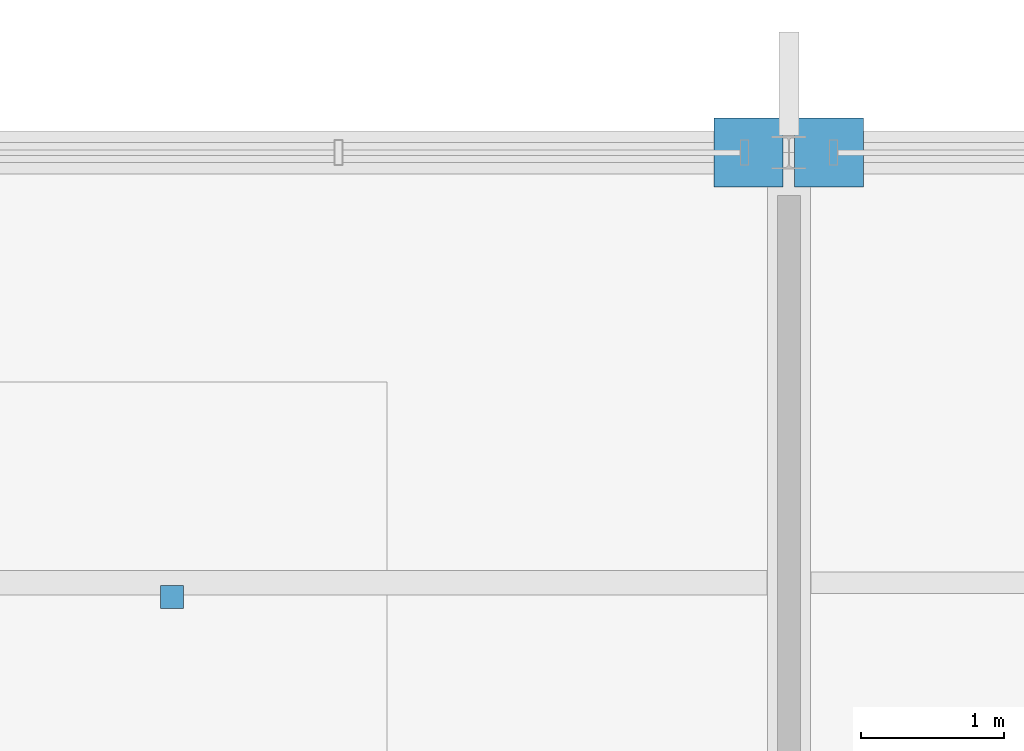
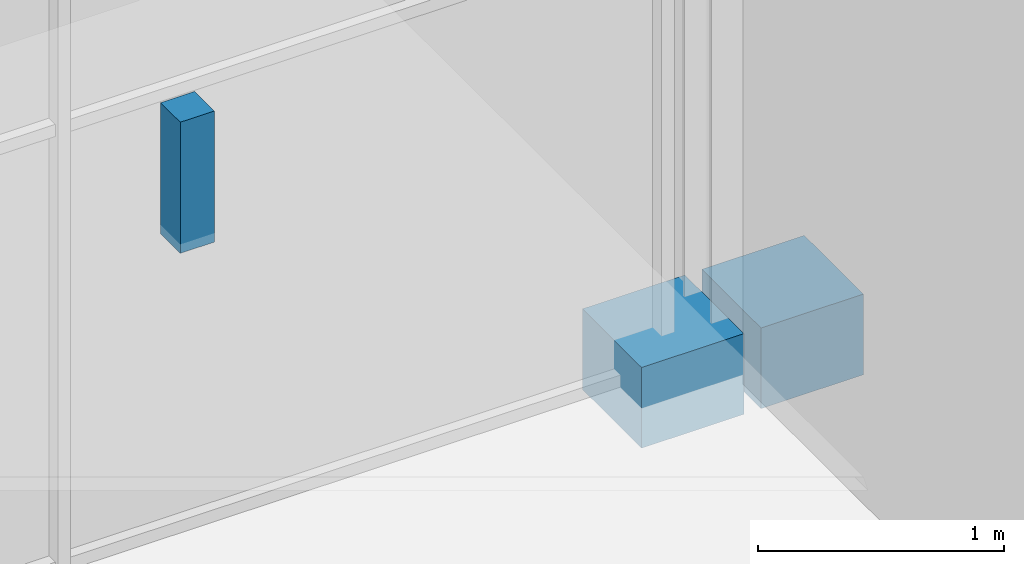
# One storey, part 147 of 159: 3 discrete accessories.
"""IFC4 building model written with IfcOpenShell, lengths in metres."""

from ifc_helpers import new_model, si_unit, direction, frame, origin, origin_2d, place, context, subcontext, project, spatial, rectangle, extrude, material, layer, layer_set, type_object, element, save


model = new_model("IFC4")

# Units and contexts
model_context = context("Model", 3, precision=1e-05, world=origin(), true_north=direction((0.0, 1.0)))
body_context = subcontext(model_context, "Body", "Model", "MODEL_VIEW")
ifc_project = project(units=[si_unit("LENGTHUNIT", "METRE"), si_unit("AREAUNIT", "SQUARE_METRE"), si_unit("VOLUMEUNIT", "CUBIC_METRE"), si_unit("PLANEANGLEUNIT", "RADIAN"), si_unit("MASSUNIT", "GRAM", prefix="KILO")], contexts=[model_context])

# Site, building, storey
site_placement = place(None, origin())
site = spatial("IfcSite", under=ifc_project, at=site_placement, CompositionType="ELEMENT")
building_placement = place(site_placement, origin())
building = spatial("IfcBuilding", under=site, at=building_placement, Name="Merenkruunu Market Hall", CompositionType="ELEMENT")
storey_placement = place(building_placement, frame((0.0, 0.0, 5.39990234375)))
storey = spatial("IfcBuildingStorey", under=building, at=storey_placement, Name="L01", CompositionType="ELEMENT", Elevation=5.39990234375)

# Discrete accessories
ifc_material = material(Name="Brushed stainless steel", Category="steel")
ifc_layer = layer(ifc_material, 0.159912109375)
ifc_layer_set = layer_set([ifc_layer], Name="Brushed stainless steel")
discrete_accessory_type = type_object("IfcDiscreteAccessoryType", Name="Stainless Facade Support Bracket BRK01", PredefinedType="BRACKET", material=ifc_layer_set)
for number, where, z_axis, x_axis, name in (
    (1, (124.52001953125, 45.60009765625, -0.199951171875), (0.0, 0.0, 1.0), (1.0, 0.0, 0.0), "ACC-CWBRK-193-3"),
    (2, (125.080078125, 45.60009765625, -0.199951171875), (0.0, 0.0, 1.0), (1.0, 0.0, 0.0), "ACC-CWBRK-197-1"),
):
    element("IfcDiscreteAccessory", number, at=place(storey_placement, frame(where, z_axis=z_axis, x_axis=x_axis)), inside=storey, type_object=discrete_accessory_type, Name=name, PredefinedType="BRACKET", context=body_context, shape_type="SweptSolid", body=[
        extrude(rectangle(XDim=0.47998046875, YDim=0.47998046875, at=origin_2d()), origin(), (0.0, 0.0, 1.0), 0.39990234375),
    ])
discrete_accessory_placement = place(storey_placement, frame((120.5, 42.5, 3.900146484375), z_axis=(0.0, 0.0, 1.0), x_axis=(1.0, 0.0, 0.0)))
element("IfcDiscreteAccessory", 3, at=discrete_accessory_placement, inside=storey, type_object=discrete_accessory_type, Name="ACC-CLGHNG-4-2", PredefinedType="BRACKET", context=body_context, shape_type="SweptSolid", body=[
    extrude(rectangle(XDim=0.159912109375, YDim=0.159912109375, at=origin_2d()), origin(), (0.0, 0.0, 1.0), 0.64990234375),
])

save(model, "model.ifc")
